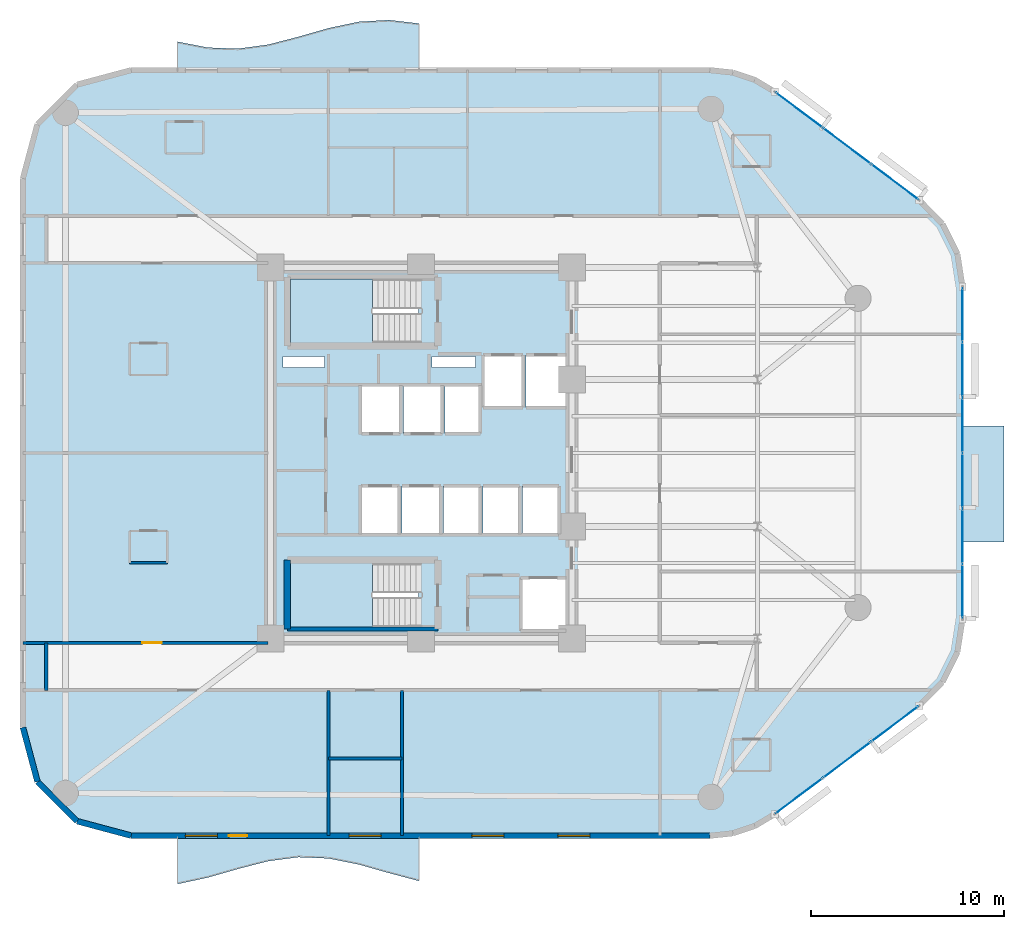
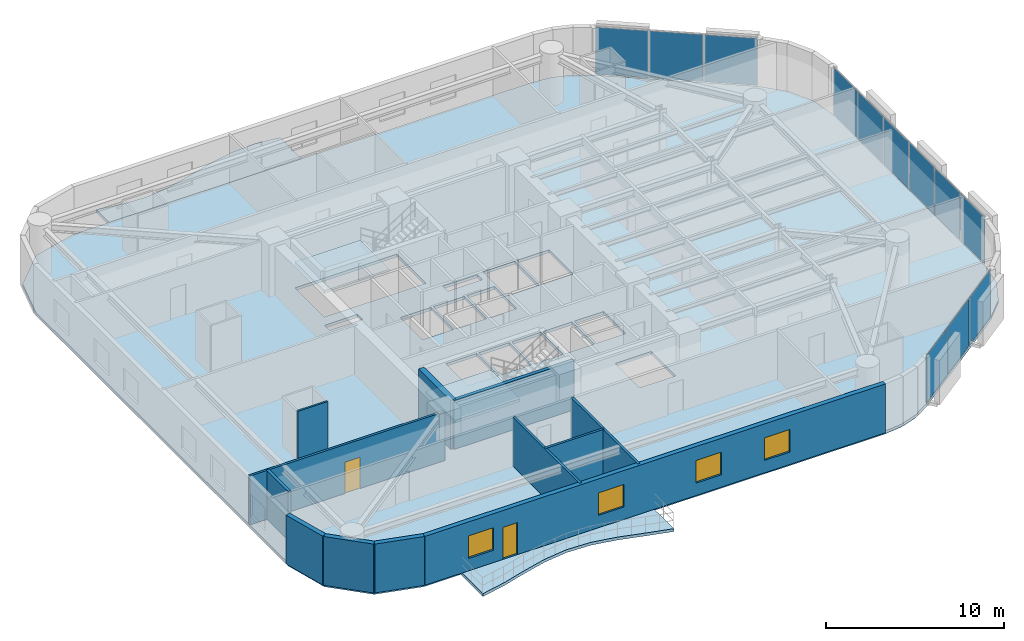
# One storey, part 9 of 15: 12 plates, 12 walls, 6 slabs, 4 windows, 2 doors, 6 openings, 5 elements without a shape of their own.
"""IFC4 building model written with IfcOpenShell, lengths in metres."""

from ifc_helpers import new_model, si_unit, direction, frame, frame_2d, origin, origin_2d, place, context, subcontext, project, spatial, polyline, rectangle, outline, extrude, material, layer, layer_set, type_object, element, fill, aggregate, save


model = new_model("IFC4")

# Units and contexts
model_context = context("Model", 3, precision=1e-05, world=origin(), true_north=direction((0.0, 1.0)))
body_context = subcontext(model_context, "Body", "Model", "MODEL_VIEW")
ifc_project = project(units=[si_unit("LENGTHUNIT", "METRE"), si_unit("AREAUNIT", "SQUARE_METRE"), si_unit("VOLUMEUNIT", "CUBIC_METRE"), si_unit("PLANEANGLEUNIT", "RADIAN"), si_unit("MASSUNIT", "GRAM", prefix="KILO")], contexts=[model_context])

# Site, building, storey
site_placement = place(None, origin())
site = spatial("IfcSite", under=ifc_project, at=site_placement, CompositionType="ELEMENT")
building_placement = place(site_placement, origin())
building = spatial("IfcBuilding", under=site, at=building_placement, Name="An Khanh Terracotta Commons", CompositionType="ELEMENT")
storey_placement = place(building_placement, frame((0.0, 0.0, 129.5)))
storey = spatial("IfcBuildingStorey", under=building, at=storey_placement, Name="L34", CompositionType="ELEMENT", Elevation=129.5)

# Curtain wall, plates
ifc_material_1 = material(Name="Anodised Aluminium 6063-T6", Category="aluminium")
ifc_layer_1 = layer(ifc_material_1, 0.199951171875, Name="Anodised Aluminium 6063-T6")
ifc_layer_set_1 = layer_set([ifc_layer_1], Name="Anodised Aluminium 6063-T6")
curtain_wall_type = type_object("IfcCurtainWallType", Name="CW-SYS-02", PredefinedType="USERDEFINED", material=ifc_layer_set_1)
curtain_wall_1_placement = place(storey_placement, origin())
curtain_wall_1 = element("IfcCurtainWall", 1, at=curtain_wall_1_placement, inside=storey, type_object=curtain_wall_type, Name="L34 CW-02 Unitised Curtain Wall CW-L34-08", ObjectType="UNITISED CURTAIN WALL", PredefinedType="USERDEFINED")
ifc_material_2 = material(Name="Double Low-E Solar Control Glazing", Category="glass")
ifc_layer_2 = layer(ifc_material_2, 0.028076171875, Name="Double Low-E Solar Control Glazing")
ifc_layer_set_2 = layer_set([ifc_layer_2], Name="Double Low-E Solar Control Glazing")
plate_type = type_object("IfcPlateType", Name="CWP-IGU-28", PredefinedType="CURTAIN_PANEL", material=ifc_layer_set_2)
plate_1_placement = place(storey_placement, frame((48.951416015625, 6.263916015625, 0.06005859375), z_axis=(0.0, 0.0, 1.0), x_axis=(0.800012856594, 0.599982857492, 0.0)))
plate_1 = element("IfcPlate", 2, at=plate_1_placement, type_object=plate_type, Name="CW-02 panel 1.1", PredefinedType="CURTAIN_PANEL", context=body_context, shape_type="SweptSolid", body=[
    extrude(rectangle(XDim=3.006103515625, YDim=0.028076171875, at=origin_2d()), origin(), (0.0, 0.0, 1.0), 3.239990234375),
])
plate_2_placement = place(storey_placement, frame((51.426513671875, 8.1201171875, 0.06005859375), z_axis=(0.0, 0.0, 1.0), x_axis=(0.800012856594, 0.599982857492, 0.0)))
plate_2 = element("IfcPlate", 3, at=plate_2_placement, type_object=plate_type, Name="CW-02 panel 2.1", PredefinedType="CURTAIN_PANEL", context=body_context, shape_type="SweptSolid", body=[
    extrude(rectangle(XDim=3.041259765625, YDim=0.028076171875, at=origin_2d()), origin(), (0.0, 0.0, 1.0), 3.239990234375),
])
plate_3_placement = place(storey_placement, frame((53.901611328125, 9.97607421875, 0.06005859375), z_axis=(0.0, 0.0, 1.0), x_axis=(0.800012856594, 0.599982857492, 0.0)))
plate_3 = element("IfcPlate", 4, at=plate_3_placement, type_object=plate_type, Name="CW-02 panel 3.1", PredefinedType="CURTAIN_PANEL", context=body_context, shape_type="SweptSolid", body=[
    extrude(rectangle(XDim=3.006103515625, YDim=0.028076171875, at=origin_2d()), origin(), (0.0, 0.0, 1.0), 3.239990234375),
])
aggregate(curtain_wall_1, [plate_1, plate_2, plate_3])

curtain_wall_2_placement = place(storey_placement, origin())
curtain_wall_2 = element("IfcCurtainWall", 5, at=curtain_wall_2_placement, inside=storey, type_object=curtain_wall_type, Name="L34 CW-02 Unitised Curtain Wall CW-L34-12", ObjectType="UNITISED CURTAIN WALL", PredefinedType="USERDEFINED")
plate_4_placement = place(storey_placement, frame((57.39990234375, 16.850830078125, 0.06005859375), z_axis=(0.0, 0.0, 1.0), x_axis=(0.0, 1.0, 0.0)))
plate_4 = element("IfcPlate", 6, at=plate_4_placement, type_object=plate_type, Name="CW-02 panel 1.1", PredefinedType="CURTAIN_PANEL", context=body_context, shape_type="SweptSolid", body=[
    extrude(rectangle(XDim=2.76171875, YDim=0.028076171875, at=origin_2d()), origin(), (0.0, 0.0, 1.0), 3.239990234375),
])
plate_5_placement = place(storey_placement, frame((57.39990234375, 19.699951171875, 0.06005859375), z_axis=(0.0, 0.0, 1.0), x_axis=(0.0, 1.0, 0.0)))
plate_5 = element("IfcPlate", 7, at=plate_5_placement, type_object=plate_type, Name="CW-02 panel 2.1", PredefinedType="CURTAIN_PANEL", context=body_context, shape_type="SweptSolid", body=[
    extrude(rectangle(XDim=2.796630859375, YDim=0.028076171875, at=origin_2d()), origin(), (0.0, 0.0, 1.0), 3.239990234375),
])
plate_6_placement = place(storey_placement, frame((57.39990234375, 22.566650390625, 0.06005859375), z_axis=(0.0, 0.0, 1.0), x_axis=(0.0, 1.0, 0.0)))
plate_6 = element("IfcPlate", 8, at=plate_6_placement, type_object=plate_type, Name="CW-02 panel 3.1", PredefinedType="CURTAIN_PANEL", context=body_context, shape_type="SweptSolid", body=[
    extrude(rectangle(XDim=2.796630859375, YDim=0.028076171875, at=origin_2d()), origin(), (0.0, 0.0, 1.0), 3.239990234375),
])
plate_7_placement = place(storey_placement, frame((57.39990234375, 25.433349609375, 0.06005859375), z_axis=(0.0, 0.0, 1.0), x_axis=(0.0, 1.0, 0.0)))
plate_7 = element("IfcPlate", 9, at=plate_7_placement, type_object=plate_type, Name="CW-02 panel 4.1", PredefinedType="CURTAIN_PANEL", context=body_context, shape_type="SweptSolid", body=[
    extrude(rectangle(XDim=2.796630859375, YDim=0.028076171875, at=origin_2d()), origin(), (0.0, 0.0, 1.0), 3.239990234375),
])
plate_8_placement = place(storey_placement, frame((57.39990234375, 28.300048828125, 0.06005859375), z_axis=(0.0, 0.0, 1.0), x_axis=(0.0, 1.0, 0.0)))
plate_8 = element("IfcPlate", 10, at=plate_8_placement, type_object=plate_type, Name="CW-02 panel 5.1", PredefinedType="CURTAIN_PANEL", context=body_context, shape_type="SweptSolid", body=[
    extrude(rectangle(XDim=2.796630859375, YDim=0.028076171875, at=origin_2d()), origin(), (0.0, 0.0, 1.0), 3.239990234375),
])
plate_9_placement = place(storey_placement, frame((57.39990234375, 31.149169921875, 0.06005859375), z_axis=(0.0, 0.0, 1.0), x_axis=(0.0, 1.0, 0.0)))
plate_9 = element("IfcPlate", 11, at=plate_9_placement, type_object=plate_type, Name="CW-02 panel 6.1", PredefinedType="CURTAIN_PANEL", context=body_context, shape_type="SweptSolid", body=[
    extrude(rectangle(XDim=2.76171875, YDim=0.028076171875, at=origin_2d()), origin(), (0.0, 0.0, 1.0), 3.239990234375),
])
aggregate(curtain_wall_2, [plate_4, plate_5, plate_6, plate_7, plate_8, plate_9])

curtain_wall_3_placement = place(storey_placement, origin())
curtain_wall_3 = element("IfcCurtainWall", 12, at=curtain_wall_3_placement, inside=storey, type_object=curtain_wall_type, Name="L34 CW-02 Unitised Curtain Wall CW-L34-16", ObjectType="UNITISED CURTAIN WALL", PredefinedType="USERDEFINED")
plate_10_placement = place(storey_placement, frame((53.901611328125, 38.02392578125, 0.06005859375), z_axis=(0.0, 0.0, 1.0), x_axis=(-0.800012856594, 0.599982857492, 0.0)))
plate_10 = element("IfcPlate", 13, at=plate_10_placement, type_object=plate_type, Name="CW-02 panel 1.1", PredefinedType="CURTAIN_PANEL", context=body_context, shape_type="SweptSolid", body=[
    extrude(rectangle(XDim=3.006103515625, YDim=0.028076171875, at=origin_2d()), origin(), (0.0, 0.0, 1.0), 3.239990234375),
])
plate_11_placement = place(storey_placement, frame((51.426513671875, 39.8798828125, 0.06005859375), z_axis=(0.0, 0.0, 1.0), x_axis=(-0.800012856594, 0.599982857492, 0.0)))
plate_11 = element("IfcPlate", 14, at=plate_11_placement, type_object=plate_type, Name="CW-02 panel 2.1", PredefinedType="CURTAIN_PANEL", context=body_context, shape_type="SweptSolid", body=[
    extrude(rectangle(XDim=3.041259765625, YDim=0.028076171875, at=origin_2d()), origin(), (0.0, 0.0, 1.0), 3.239990234375),
])
plate_12_placement = place(storey_placement, frame((48.951416015625, 41.736083984375, 0.06005859375), z_axis=(0.0, 0.0, 1.0), x_axis=(-0.800012856594, 0.599982857492, 0.0)))
plate_12 = element("IfcPlate", 15, at=plate_12_placement, type_object=plate_type, Name="CW-02 panel 3.1", PredefinedType="CURTAIN_PANEL", context=body_context, shape_type="SweptSolid", body=[
    extrude(rectangle(XDim=3.006103515625, YDim=0.028076171875, at=origin_2d()), origin(), (0.0, 0.0, 1.0), 3.239990234375),
])
aggregate(curtain_wall_3, [plate_10, plate_11, plate_12])

# Slabs
ifc_material_3 = material(Name="Concrete C40/50", Category="concrete")
ifc_layer_3 = layer(ifc_material_3, 0.199951171875, Name="Concrete C40/50")
ifc_layer_set_3 = layer_set([ifc_layer_3], Name="Concrete C40/50")
slab_type_1 = type_object("IfcSlabType", Name="SLAB-BALC-200", PredefinedType="FLOOR", material=ifc_layer_set_3)
slab_1_placement = place(storey_placement, frame((0.0, 0.0, -0.199951171875)))
element("IfcSlab", 16, at=slab_1_placement, inside=storey, type_object=slab_type_1, Name="L34 S Sinusoidal Wave Balcony Slab", PredefinedType="FLOOR", context=body_context, shape_type="SweptSolid", body=[
    extrude(outline(polyline([(16.800048828125, 4.199951171875), (16.800048828125, 1.699951171875), (18.363037109375, 2.034912109375), (19.925048828125, 2.48388671875), (21.488037109375, 2.885009765625), (23.050048828125, 3.090087890625), (24.613037109375, 3.02490234375), (26.175048828125, 2.714111328125), (27.738037109375, 2.27001953125), (29.300048828125, 1.85498046875), (29.300048828125, 4.199951171875), (16.800048828125, 4.199951171875)])), origin(), (0.0, 0.0, 1.0), 0.199951171875),
])
slab_2_placement = place(storey_placement, frame((0.0, 0.0, -0.199951171875)))
element("IfcSlab", 17, at=slab_2_placement, inside=storey, type_object=slab_type_1, Name="L34 N Sinusoidal Wave Balcony Slab", PredefinedType="FLOOR", context=body_context, shape_type="SweptSolid", body=[
    extrude(outline(polyline([(29.300048828125, 43.800048828125), (29.300048828125, 46.214111328125), (27.738037109375, 46.39599609375), (26.175048828125, 46.305908203125), (24.613037109375, 45.97607421875), (23.050048828125, 45.528076171875), (21.488037109375, 45.1240234375), (19.925048828125, 44.912109375), (18.363037109375, 44.968994140625), (16.800048828125, 45.27490234375), (16.800048828125, 43.800048828125), (29.300048828125, 43.800048828125)])), origin(), (0.0, 0.0, 1.0), 0.199951171875),
])
ifc_layer_4 = layer(ifc_material_3, 0.22998046875, Name="Concrete C40/50")
ifc_layer_set_4 = layer_set([ifc_layer_4], Name="Concrete C40/50")
slab_type_2 = type_object("IfcSlabType", Name="SLAB-BOXROOF-230", PredefinedType="ROOF", material=ifc_layer_set_4)
slab_3_placement = place(storey_placement, frame((0.0, 0.0, -0.199951171875)))
element("IfcSlab", 18, at=slab_3_placement, inside=storey, type_object=slab_type_2, Name="L34 Shifted Social Kitchen Box Closing Roof Slab (L33)", PredefinedType="ROOF", context=body_context, shape_type="SweptSolid", body=[
    extrude(outline(polyline([(57.39990234375, 19.39990234375), (59.550048828125, 19.39990234375), (59.550048828125, 25.39990234375), (57.39990234375, 25.39990234375), (57.39990234375, 19.39990234375)])), origin(), (0.0, 0.0, 1.0), 0.199951171875),
])

# Stair, slab
ifc_material_4 = material(Name="Precast concrete C40/50", Category="concrete")
stair_type = type_object("IfcStairType", Name="STAIR-CORE-1550", PredefinedType="HALF_TURN_STAIR", material=ifc_material_4)
stair_1_placement = place(storey_placement, origin())
stair_1 = element("IfcStair", 19, at=stair_1_placement, inside=storey, type_object=stair_type, Name="L34 Core Smokeproof Exit Stair ST-01", PredefinedType="HALF_TURN_STAIR")
ifc_layer_5 = layer(ifc_material_3, 0.18994140625, Name="Concrete C40/50")
ifc_layer_set_5 = layer_set([ifc_layer_5], Name="Concrete C40/50")
slab_type_3 = type_object("IfcSlabType", Name="SLAB-LANDING-190", PredefinedType="LANDING", material=ifc_layer_set_5)
slab_4_placement = place(storey_placement, frame((0.0, 0.0, 1.60009765625)))
slab_4 = element("IfcSlab", 20, at=slab_4_placement, type_object=slab_type_3, Name="ST-01 landing 1", PredefinedType="LANDING", context=body_context, shape_type="SweptSolid", body=[
    extrude(outline(polyline([(26.889892578125, 33.0), (22.64990234375, 33.0), (22.64990234375, 29.699951171875), (26.889892578125, 29.699951171875), (26.889892578125, 33.0)])), origin(), (0.0, 0.0, 1.0), 0.199951171875),
])
aggregate(stair_1, [slab_4])

stair_2_placement = place(storey_placement, origin())
stair_2 = element("IfcStair", 21, at=stair_2_placement, inside=storey, type_object=stair_type, Name="L34 Core Smokeproof Exit Stair ST-02", PredefinedType="HALF_TURN_STAIR")
slab_5_placement = place(storey_placement, frame((0.0, 0.0, 1.60009765625)))
slab_5 = element("IfcSlab", 22, at=slab_5_placement, type_object=slab_type_3, Name="ST-02 landing 1", PredefinedType="LANDING", context=body_context, shape_type="SweptSolid", body=[
    extrude(outline(polyline([(26.889892578125, 18.300048828125), (22.64990234375, 18.300048828125), (22.64990234375, 15.0), (26.889892578125, 15.0), (26.889892578125, 18.300048828125)])), origin(), (0.0, 0.0, 1.0), 0.199951171875),
])
aggregate(stair_2, [slab_5])

# Slab
ifc_layer_6 = layer(ifc_material_3, 0.199951171875, Name="Concrete C40/50")
ifc_layer_set_6 = layer_set([ifc_layer_6], Name="Concrete C40/50")
slab_type_4 = type_object("IfcSlabType", Name="SLAB-TYP-200", PredefinedType="FLOOR", material=ifc_layer_set_6)
slab_6_placement = place(storey_placement, frame((0.0, 0.0, -0.199951171875)))
element("IfcSlab", 23, at=slab_6_placement, inside=storey, type_object=slab_type_4, Name="L34 Structural Floor Slab", PredefinedType="FLOOR", context=body_context, shape_type="SweptSolid", body=[
    extrude(outline(polyline([(8.800048828125, 9.800048828125), (9.550048828125, 7.0), (11.60009765625, 4.949951171875), (14.39990234375, 4.199951171875), (44.3330078125, 4.199951171875), (45.52490234375, 4.327880859375), (46.6630859375, 4.70703125), (47.693115234375, 5.320068359375), (55.159912109375, 10.919921875), (56.364013671875, 12.154052734375), (57.135009765625, 13.696044921875), (57.39990234375, 15.39990234375), (57.39990234375, 32.60009765625), (57.135009765625, 34.303955078125), (56.364013671875, 35.845947265625), (55.159912109375, 37.080078125), (47.693115234375, 42.679931640625), (46.6630859375, 43.29296875), (45.52490234375, 43.672119140625), (44.3330078125, 43.800048828125), (14.39990234375, 43.800048828125), (11.60009765625, 43.050048828125), (9.550048828125, 41.0), (8.800048828125, 38.199951171875), (8.800048828125, 9.800048828125)]), holes=[polyline([(22.64990234375, 29.699951171875), (29.27001953125, 29.699951171875), (29.27001953125, 33.0), (22.64990234375, 33.0), (22.64990234375, 29.699951171875)]), polyline([(22.64990234375, 15.0), (29.27001953125, 15.0), (29.27001953125, 18.300048828125), (22.64990234375, 18.300048828125), (22.64990234375, 15.0)]), polyline([(32.60009765625, 26.35009765625), (34.679931640625, 26.35009765625), (34.679931640625, 29.080078125), (32.60009765625, 29.080078125), (32.60009765625, 26.35009765625)]), polyline([(34.820068359375, 26.35009765625), (36.89990234375, 26.35009765625), (36.89990234375, 29.080078125), (34.820068359375, 29.080078125), (34.820068359375, 26.35009765625)]), polyline([(34.550048828125, 14.800048828125), (36.89990234375, 14.800048828125), (36.89990234375, 17.550048828125), (34.550048828125, 17.550048828125), (34.550048828125, 14.800048828125)]), polyline([(26.320068359375, 25.0), (28.340087890625, 25.0), (28.340087890625, 27.5), (26.320068359375, 27.5), (26.320068359375, 25.0)]), polyline([(28.47998046875, 25.0), (30.5, 25.0), (30.5, 27.5), (28.47998046875, 27.5), (28.47998046875, 25.0)]), polyline([(26.280029296875, 19.800048828125), (28.280029296875, 19.800048828125), (28.280029296875, 22.300048828125), (26.280029296875, 22.300048828125), (26.280029296875, 19.800048828125)]), polyline([(28.419921875, 19.800048828125), (30.419921875, 19.800048828125), (30.419921875, 22.300048828125), (28.419921875, 22.300048828125), (28.419921875, 19.800048828125)]), polyline([(30.639892578125, 25.0), (32.4599609375, 25.0), (32.4599609375, 27.5), (30.639892578125, 27.5), (30.639892578125, 25.0)]), polyline([(30.56005859375, 19.800048828125), (32.4599609375, 19.800048828125), (32.4599609375, 22.300048828125), (30.56005859375, 22.300048828125), (30.56005859375, 19.800048828125)]), polyline([(32.60009765625, 19.800048828125), (34.5, 19.800048828125), (34.5, 22.300048828125), (32.60009765625, 22.300048828125), (32.60009765625, 19.800048828125)]), polyline([(34.639892578125, 19.800048828125), (36.5400390625, 19.800048828125), (36.5400390625, 22.300048828125), (34.639892578125, 22.300048828125), (34.639892578125, 19.800048828125)]), polyline([(22.25, 28.419921875), (24.39990234375, 28.419921875), (24.39990234375, 28.97998046875), (22.25, 28.97998046875), (22.25, 28.419921875)]), polyline([(29.949951171875, 28.419921875), (32.199951171875, 28.419921875), (32.199951171875, 28.97998046875), (29.949951171875, 28.97998046875), (29.949951171875, 28.419921875)])]), origin(), (0.0, 0.0, 1.0), 0.199951171875),
])

# Walls
ifc_material_5 = material(Name="Fire-Rated Gypsum Board on Steel Stud", Category="steel")
ifc_layer_7 = layer(ifc_material_5, 0.179931640625, Name="Fire-Rated Gypsum Board on Steel Stud")
ifc_layer_set_7 = layer_set([ifc_layer_7], Name="Fire-Rated Gypsum Board on Steel Stud")
wall_type_1 = type_object("IfcWallType", Name="WALL-CORR-180", PredefinedType="PARTITIONING", material=ifc_layer_set_7)
wall_1_placement = place(storey_placement, frame((10.0, 11.719970703125, 0.0), z_axis=(0.0, 0.0, 1.0), x_axis=(0.0, 1.0, 0.0)))
element("IfcWall", 24, at=wall_1_placement, inside=storey, type_object=wall_type_1, Name="L34 Interior Partition IW-L34-E013", PredefinedType="PARTITIONING", context=body_context, shape_type="SweptSolid", body=[
    extrude(rectangle(XDim=2.4599609375, YDim=0.179931640625, at=frame_2d((1.22998046875, 0.0))), origin(), (0.0, 0.0, 1.0), 3.360107421875),
])
ifc_layer_8 = layer(ifc_material_4, 0.300048828125, Name="Precast concrete C40/50")
ifc_layer_set_8 = layer_set([ifc_layer_8], Name="Precast concrete C40/50")
wall_type_2 = type_object("IfcWallType", Name="WALL-EXT-300", PredefinedType="SOLIDWALL", material=ifc_layer_set_8)
wall_2_placement = place(storey_placement, frame((8.800048828125, 9.800048828125, 0.0), z_axis=(0.0, 0.0, 1.0), x_axis=(0.258731875344, -0.96594917914, 0.0)))
element("IfcWall", 25, at=wall_2_placement, inside=storey, type_object=wall_type_2, Name="L34 Insulated Terracotta Exterior Wall 1", PredefinedType="SOLIDWALL", context=body_context, shape_type="SweptSolid", body=[
    extrude(rectangle(XDim=2.898681640625, YDim=0.300048828125, at=frame_2d((1.44921875, 0.0))), origin(), (0.0, 0.0, 1.0), 3.360107421875),
])
wall_3_placement = place(storey_placement, frame((9.550048828125, 7.0, 0.0), z_axis=(0.0, 0.0, 1.0), x_axis=(0.707106781187, -0.707106781187, 0.0)))
element("IfcWall", 26, at=wall_3_placement, inside=storey, type_object=wall_type_2, Name="L34 Insulated Terracotta Exterior Wall 2", PredefinedType="SOLIDWALL", context=body_context, shape_type="SweptSolid", body=[
    extrude(rectangle(XDim=2.899169921875, YDim=0.300048828125, at=frame_2d((1.44970703125, 0.0))), origin(), (0.0, 0.0, 1.0), 3.360107421875),
])
wall_4_placement = place(storey_placement, frame((11.60009765625, 4.949951171875, 0.0), z_axis=(0.0, 0.0, 1.0), x_axis=(0.965943540406, -0.258752926066, 0.0)))
element("IfcWall", 27, at=wall_4_placement, inside=storey, type_object=wall_type_2, Name="L34 Insulated Terracotta Exterior Wall 3", PredefinedType="SOLIDWALL", context=body_context, shape_type="SweptSolid", body=[
    extrude(rectangle(XDim=2.8984375, YDim=0.300048828125, at=frame_2d((1.44921875, 0.0))), origin(), (0.0, 0.0, 1.0), 3.360107421875),
])

# Wall, openings, door, windows
wall_5_placement = place(storey_placement, frame((14.39990234375, 4.199951171875, 0.0), z_axis=(0.0, 0.0, 1.0), x_axis=(1.0, 0.0, 0.0)))
wall_5 = element("IfcWall", 28, at=wall_5_placement, inside=storey, type_object=wall_type_2, Name="L34 Insulated Terracotta Exterior Wall 4", PredefinedType="SOLIDWALL", context=body_context, shape_type="SweptSolid", body=[
    extrude(rectangle(XDim=29.93310546875, YDim=0.300048828125, at=frame_2d((14.966552734375, 0.0))), origin(), (0.0, 0.0, 1.0), 3.360107421875),
])
opening_1_placement = place(wall_5_placement, frame((5.050048828125, 0.0, 0.0)))
opening_1 = element("IfcOpeningElement", 29, at=opening_1_placement, cuts=wall_5, Name="Opening D-BAL", PredefinedType="OPENING", context=body_context, shape_type="SweptSolid", body=[
    extrude(rectangle(XDim=0.949951171875, YDim=2.199951171875, at=frame_2d((0.47509765625, 1.10009765625))), frame((0.0, 0.159912109375, 0.0), z_axis=(0.0, -1.0, 0.0), x_axis=(1.0, 0.0, 0.0)), (0.0, 0.0, 1.0), 0.320068359375),
])
opening_2_placement = place(wall_5_placement, frame((2.80810546875, 0.0, 0.85009765625)))
opening_2 = element("IfcOpeningElement", 30, at=opening_2_placement, cuts=wall_5, Name="Opening W-02", PredefinedType="OPENING", context=body_context, shape_type="SweptSolid", body=[
    extrude(rectangle(XDim=1.64990234375, YDim=1.550048828125, at=frame_2d((0.824951171875, 0.77490234375))), frame((0.0, 0.159912109375, 0.0), z_axis=(0.0, -1.0, 0.0), x_axis=(1.0, 0.0, 0.0)), (0.0, 0.0, 1.0), 0.320068359375),
])
opening_3_placement = place(wall_5_placement, frame((11.27490234375, 0.0, 0.85009765625)))
opening_3 = element("IfcOpeningElement", 31, at=opening_3_placement, cuts=wall_5, Name="Opening W-02", PredefinedType="OPENING", context=body_context, shape_type="SweptSolid", body=[
    extrude(rectangle(XDim=1.64990234375, YDim=1.550048828125, at=frame_2d((0.824951171875, 0.77490234375))), frame((0.0, 0.159912109375, 0.0), z_axis=(0.0, -1.0, 0.0), x_axis=(1.0, 0.0, 0.0)), (0.0, 0.0, 1.0), 0.320068359375),
])
opening_4_placement = place(wall_5_placement, frame((17.625, 0.0, 0.85009765625)))
opening_4 = element("IfcOpeningElement", 32, at=opening_4_placement, cuts=wall_5, Name="Opening W-02", PredefinedType="OPENING", context=body_context, shape_type="SweptSolid", body=[
    extrude(rectangle(XDim=1.64990234375, YDim=1.550048828125, at=frame_2d((0.824951171875, 0.77490234375))), frame((0.0, 0.159912109375, 0.0), z_axis=(0.0, -1.0, 0.0), x_axis=(1.0, 0.0, 0.0)), (0.0, 0.0, 1.0), 0.320068359375),
])
opening_5_placement = place(wall_5_placement, frame((22.074951171875, 0.0, 0.85009765625)))
opening_5 = element("IfcOpeningElement", 33, at=opening_5_placement, cuts=wall_5, Name="Opening W-02", PredefinedType="OPENING", context=body_context, shape_type="SweptSolid", body=[
    extrude(rectangle(XDim=1.64990234375, YDim=1.550048828125, at=frame_2d((0.824951171875, 0.77490234375))), frame((0.0, 0.159912109375, 0.0), z_axis=(0.0, -1.0, 0.0), x_axis=(1.0, 0.0, 0.0)), (0.0, 0.0, 1.0), 0.320068359375),
])
ifc_material_6 = material(Name="Thermally Broken Aluminium and Low-E Glass", Category="aluminium")
door_type_1 = type_object("IfcDoorType", Name="DOOR-BALC-950", OperationType="NOTDEFINED", PredefinedType="DOOR", material=ifc_material_6)
door_1_placement = place(opening_1_placement, origin())
door_1 = element("IfcDoor", 34, at=door_1_placement, inside=storey, type_object=door_type_1, Name="L34 S Wave Balcony Glazed Door", OperationType="SINGLE_SWING_LEFT", OverallHeight=2.199951171875, OverallWidth=0.949951171875, PredefinedType="DOOR", context=body_context, shape_type="SweptSolid", body=[
    extrude(rectangle(XDim=0.949951171875, YDim=2.199951171875, at=frame_2d((0.47509765625, 1.10009765625))), frame((0.0, 0.02490234375, 0.0), z_axis=(0.0, -1.0, 0.0), x_axis=(1.0, 0.0, 0.0)), (0.0, 0.0, 1.0), 0.050048828125),
])
fill(opening_1, door_1)
window_type = type_object("IfcWindowType", Name="WIN-Z2-1650x1550", PartitioningType="DOUBLE_PANEL_VERTICAL", PredefinedType="WINDOW", material=ifc_material_6)
window_1_placement = place(opening_2_placement, origin())
window_1 = element("IfcWindow", 35, at=window_1_placement, inside=storey, type_object=window_type, Name="L34 Operable Casement Window 4.1", OverallHeight=1.550048828125, OverallWidth=1.64990234375, PartitioningType="DOUBLE_PANEL_VERTICAL", PredefinedType="WINDOW", context=body_context, shape_type="SweptSolid", body=[
    extrude(rectangle(XDim=1.64990234375, YDim=1.550048828125, at=frame_2d((0.824951171875, 0.77490234375))), frame((0.0, 0.030029296875, 0.0), z_axis=(0.0, -1.0, 0.0), x_axis=(1.0, 0.0, 0.0)), (0.0, 0.0, 1.0), 0.06005859375),
])
fill(opening_2, window_1)
window_2_placement = place(opening_3_placement, origin())
window_2 = element("IfcWindow", 36, at=window_2_placement, inside=storey, type_object=window_type, Name="L34 Operable Casement Window 4.2", OverallHeight=1.550048828125, OverallWidth=1.64990234375, PartitioningType="DOUBLE_PANEL_VERTICAL", PredefinedType="WINDOW", context=body_context, shape_type="SweptSolid", body=[
    extrude(rectangle(XDim=1.64990234375, YDim=1.550048828125, at=frame_2d((0.824951171875, 0.77490234375))), frame((0.0, 0.030029296875, 0.0), z_axis=(0.0, -1.0, 0.0), x_axis=(1.0, 0.0, 0.0)), (0.0, 0.0, 1.0), 0.06005859375),
])
fill(opening_3, window_2)
window_3_placement = place(opening_4_placement, origin())
window_3 = element("IfcWindow", 37, at=window_3_placement, inside=storey, type_object=window_type, Name="L34 Operable Casement Window 4.3", OverallHeight=1.550048828125, OverallWidth=1.64990234375, PartitioningType="DOUBLE_PANEL_VERTICAL", PredefinedType="WINDOW", context=body_context, shape_type="SweptSolid", body=[
    extrude(rectangle(XDim=1.64990234375, YDim=1.550048828125, at=frame_2d((0.824951171875, 0.77490234375))), frame((0.0, 0.030029296875, 0.0), z_axis=(0.0, -1.0, 0.0), x_axis=(1.0, 0.0, 0.0)), (0.0, 0.0, 1.0), 0.06005859375),
])
fill(opening_4, window_3)
window_4_placement = place(opening_5_placement, origin())
window_4 = element("IfcWindow", 38, at=window_4_placement, inside=storey, type_object=window_type, Name="L34 Operable Casement Window 4.4", OverallHeight=1.550048828125, OverallWidth=1.64990234375, PartitioningType="DOUBLE_PANEL_VERTICAL", PredefinedType="WINDOW", context=body_context, shape_type="SweptSolid", body=[
    extrude(rectangle(XDim=1.64990234375, YDim=1.550048828125, at=frame_2d((0.824951171875, 0.77490234375))), frame((0.0, 0.030029296875, 0.0), z_axis=(0.0, -1.0, 0.0), x_axis=(1.0, 0.0, 0.0)), (0.0, 0.0, 1.0), 0.06005859375),
])
fill(opening_5, window_4)

# Wall
ifc_material_7 = material(Name="Acoustic Gypsum Board Partition")
ifc_layer_9 = layer(ifc_material_7, 0.14990234375, Name="Acoustic Gypsum Board Partition")
ifc_layer_set_9 = layer_set([ifc_layer_9], Name="Acoustic Gypsum Board Partition")
wall_type_3 = type_object("IfcWallType", Name="WALL-PART-150", PredefinedType="PARTITIONING", material=ifc_layer_set_9)
wall_6_placement = place(storey_placement, frame((24.60009765625, 8.199951171875, 0.0), z_axis=(0.0, 0.0, 1.0), x_axis=(1.0, 0.0, 0.0)))
element("IfcWall", 39, at=wall_6_placement, inside=storey, type_object=wall_type_3, Name="L34 Interior Partition IW-L34-E001", PredefinedType="PARTITIONING", context=body_context, shape_type="SweptSolid", body=[
    extrude(rectangle(XDim=3.7998046875, YDim=0.14990234375, at=frame_2d((1.89990234375, 0.0))), origin(), (0.0, 0.0, 1.0), 3.360107421875),
])

# Wall, opening, door
wall_7_placement = place(storey_placement, frame((8.800048828125, 14.179931640625, 0.0), z_axis=(0.0, 0.0, 1.0), x_axis=(1.0, 0.0, 0.0)))
wall_7 = element("IfcWall", 40, at=wall_7_placement, inside=storey, type_object=wall_type_3, Name="L34 Interior Partition IW-L34-E003", PredefinedType="PARTITIONING", context=body_context, shape_type="SweptSolid", body=[
    extrude(rectangle(XDim=12.679931640625, YDim=0.14990234375, at=frame_2d((6.33984375, 0.0))), origin(), (0.0, 0.0, 1.0), 3.360107421875),
])
opening_6_placement = place(wall_7_placement, frame((6.179931640625, 0.0, 0.0)))
opening_6 = element("IfcOpeningElement", 41, at=opening_6_placement, cuts=wall_7, Name="Opening D-UN", PredefinedType="OPENING", context=body_context, shape_type="SweptSolid", body=[
    extrude(rectangle(XDim=1.0, YDim=2.14990234375, at=frame_2d((0.5, 1.074951171875))), frame((0.0, 0.0849609375, 0.0), z_axis=(0.0, -1.0, 0.0), x_axis=(1.0, 0.0, 0.0)), (0.0, 0.0, 1.0), 0.169921875),
])
ifc_material_8 = material(Name="Solid-Core Hardwood Acoustic Fire Door", Category="wood")
door_type_2 = type_object("IfcDoorType", Name="DOOR-UNIT-1000", OperationType="NOTDEFINED", PredefinedType="DOOR", material=ifc_material_8)
door_2_placement = place(opening_6_placement, origin())
door_2 = element("IfcDoor", 42, at=door_2_placement, inside=storey, type_object=door_type_2, Name="L34 WW1 Kitchenette and Studio Apartment Door", OperationType="SINGLE_SWING_RIGHT", OverallHeight=2.14990234375, OverallWidth=1.0, PredefinedType="DOOR", context=body_context, shape_type="SweptSolid", body=[
    extrude(rectangle(XDim=1.0, YDim=2.14990234375, at=frame_2d((0.5, 1.074951171875))), frame((0.0, 0.02490234375, 0.0), z_axis=(0.0, -1.0, 0.0), x_axis=(1.0, 0.0, 0.0)), (0.0, 0.0, 1.0), 0.050048828125),
])
fill(opening_6, door_2)

# Walls
for number, where, z_axis, x_axis, name in (
    (43, (24.60009765625, 4.199951171875, 0.0), (0.0, 0.0, 1.0), (0.0, 1.0, 0.0), "L34 Interior Partition IW-L34-E015"),
    (44, (28.39990234375, 4.199951171875, 0.0), (0.0, 0.0, 1.0), (0.0, 1.0, 0.0), "L34 Interior Partition IW-L34-E018"),
):
    element("IfcWall", number, at=place(storey_placement, frame(where, z_axis=z_axis, x_axis=x_axis)), inside=storey, type_object=wall_type_3, Name=name, PredefinedType="PARTITIONING", context=body_context, shape_type="SweptSolid", body=[
        extrude(rectangle(XDim=7.52001953125, YDim=0.14990234375, at=frame_2d((3.760009765625, 0.0))), origin(), (0.0, 0.0, 1.0), 3.360107421875),
    ])
ifc_material_9 = material(Name="Acoustic Double-Stud Gypsum and Mineral Wool")
ifc_layer_10 = layer(ifc_material_9, 0.219970703125, Name="Acoustic Double-Stud Gypsum and Mineral Wool")
ifc_layer_set_10 = layer_set([ifc_layer_10], Name="Acoustic Double-Stud Gypsum and Mineral Wool")
wall_type_4 = type_object("IfcWallType", Name="WALL-PARTY-220", PredefinedType="PARTITIONING", material=ifc_layer_set_10)
wall_8_placement = place(storey_placement, frame((22.47998046875, 14.889892578125, 0.0), z_axis=(0.0, 0.0, 1.0), x_axis=(1.0, 0.0, 0.0)))
element("IfcWall", 45, at=wall_8_placement, inside=storey, type_object=wall_type_4, Name="L34 Core Wall STW-L34-S-S", PredefinedType="PARTITIONING", context=body_context, shape_type="SweptSolid", body=[
    extrude(rectangle(XDim=7.7900390625, YDim=0.219970703125, at=frame_2d((3.89501953125, 0.0))), origin(), (0.0, 0.0, 1.0), 3.360107421875),
])
ifc_material_10 = material(Name="Concrete C50/60", Category="concrete")
ifc_layer_11 = layer(ifc_material_10, 0.35009765625, Name="Concrete C50/60")
ifc_layer_set_11 = layer_set([ifc_layer_11], Name="Concrete C50/60")
wall_type_5 = type_object("IfcWallType", Name="WALL-SHAFT-350", PredefinedType="SOLIDWALL", material=ifc_layer_set_11)
wall_9_placement = place(storey_placement, frame((22.47998046875, 14.889892578125, 0.0), z_axis=(0.0, 0.0, 1.0), x_axis=(0.0, 1.0, 0.0)))
element("IfcWall", 46, at=wall_9_placement, inside=storey, type_object=wall_type_5, Name="L34 Core Wall STW-L34-S-W", PredefinedType="SOLIDWALL", context=body_context, shape_type="SweptSolid", body=[
    extrude(rectangle(XDim=3.580078125, YDim=0.35009765625, at=frame_2d((1.7900390625, 0.0))), origin(), (0.0, 0.0, 1.0), 3.360107421875),
])
ifc_material_11 = material(Name="Moisture-Resistant Cement Board Partition")
ifc_layer_12 = layer(ifc_material_11, 0.1201171875, Name="Moisture-Resistant Cement Board Partition")
ifc_layer_set_12 = layer_set([ifc_layer_12], Name="Moisture-Resistant Cement Board Partition")
wall_type_6 = type_object("IfcWallType", Name="WALL-WET-120", PredefinedType="PARTITIONING", material=ifc_layer_set_12)
wall_10_placement = place(storey_placement, frame((16.27490234375, 18.31494140625, 0.0), z_axis=(0.0, 0.0, 1.0), x_axis=(-1.0, 0.0, 0.0)))
element("IfcWall", 47, at=wall_10_placement, inside=storey, type_object=wall_type_6, Name="L34 Interior Partition IW-L34-WW1-BS", PredefinedType="PARTITIONING", context=body_context, shape_type="SweptSolid", body=[
    extrude(rectangle(XDim=1.949951171875, YDim=0.1201171875, at=frame_2d((0.97509765625, 0.0))), origin(), (0.0, 0.0, 1.0), 3.360107421875),
])

save(model, "model.ifc")
